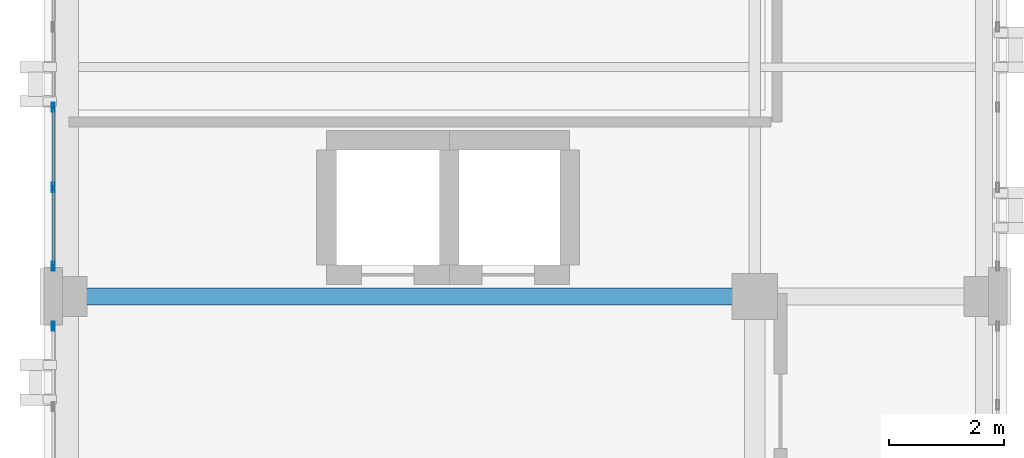
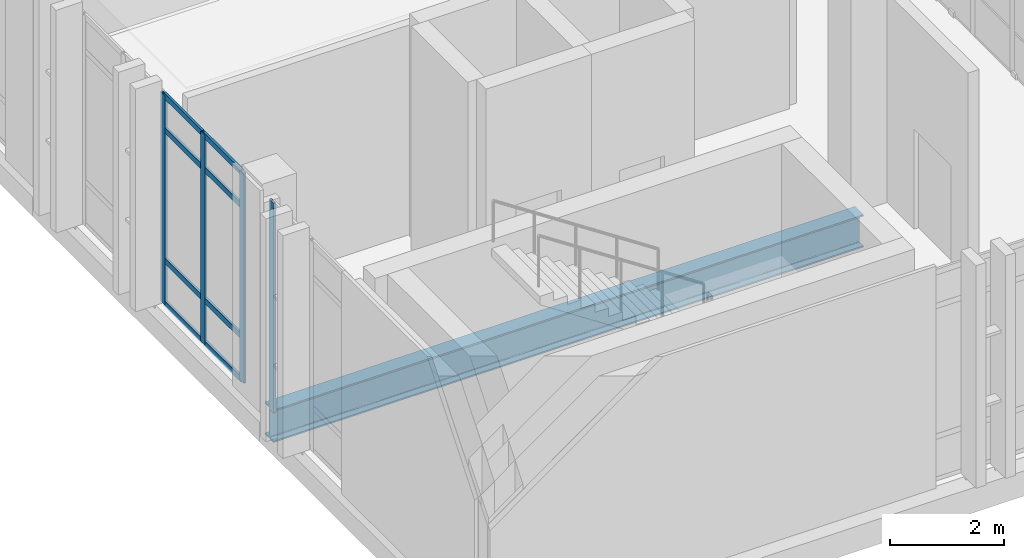
# One storey, part 23 of 189: 12 members, 1 beam, 2 elements without a shape of their own.
"""IFC4 building model written with IfcOpenShell, lengths in metres."""

from ifc_helpers import new_model, si_unit, direction, frame, origin, origin_2d, place, context, subcontext, project, spatial, hollow_rectangle, i_section, extrude, material, layer, layer_set, material_profile, profile_set, type_object, element, aggregate, save


model = new_model("IFC4")

# Units and contexts
model_context = context("Model", 3, precision=1e-05, world=origin(), true_north=direction((0.0, 1.0)))
body_context = subcontext(model_context, "Body", "Model", "MODEL_VIEW")
ifc_project = project(units=[si_unit("LENGTHUNIT", "METRE"), si_unit("AREAUNIT", "SQUARE_METRE"), si_unit("VOLUMEUNIT", "CUBIC_METRE"), si_unit("PLANEANGLEUNIT", "RADIAN"), si_unit("MASSUNIT", "GRAM", prefix="KILO")], contexts=[model_context])

# Site, building, storey
site_placement = place(None, origin())
site = spatial("IfcSite", under=ifc_project, at=site_placement, CompositionType="ELEMENT")
building_placement = place(site_placement, origin())
building = spatial("IfcBuilding", under=site, at=building_placement, Name="Qalavern Law Courts", CompositionType="ELEMENT")
storey_placement = place(building_placement, frame((0.0, 0.0, 5.39990234375)))
storey = spatial("IfcBuildingStorey", under=building, at=storey_placement, Name="L01", CompositionType="ELEMENT", Elevation=5.39990234375)

# Curtain wall, members
ifc_material_1 = material(Name="Anodised aluminium and insulated glazing", Category="aluminium")
ifc_layer = layer(ifc_material_1, 0.172119140625)
ifc_layer_set = layer_set([ifc_layer], Name="Anodised aluminium and insulated glazing")
curtain_wall_type = type_object("IfcCurtainWallType", Name="ENV-CW-COURT", PredefinedType="USERDEFINED", material=ifc_layer_set)
curtain_wall_1_placement = place(storey_placement, origin())
curtain_wall_1 = element("IfcCurtainWall", 1, at=curtain_wall_1_placement, inside=storey, type_object=curtain_wall_type, Name="V3 unitised curtain wall L01 west 6", ObjectType="UNITISED CURTAIN WALL", PredefinedType="USERDEFINED")
ifc_material_2 = material(Name="Anodised aluminium", Category="aluminium")
ifc_material_profile_1 = material_profile(ifc_material_2, hollow_rectangle(XDim=0.048095703125, YDim=0.159912109375, WallThickness=0.00390625, at=origin_2d()), Name="ALU MULLION 48x160")
ifc_profile_set_1 = profile_set([ifc_material_profile_1], Name="Anodised aluminium")
member_type_1 = type_object("IfcMemberType", Name="ENV-CWM-48x160", PredefinedType="MULLION", material=ifc_profile_set_1)
member_1_placement = place(storey_placement, frame((2.16259765625, 52.699951171875, 0.0), z_axis=(0.0, 0.0, 1.0), x_axis=(1.0, 0.0, 0.0)))
member_1 = element("IfcMember", 2, at=member_1_placement, type_object=member_type_1, Name="CW-03 mullion 4", PredefinedType="MULLION", context=body_context, shape_type="SweptSolid", body=[
    extrude(hollow_rectangle(XDim=0.048095703125, YDim=0.159912109375, WallThickness=0.00390625, at=origin_2d()), origin(), (0.0, 0.0, 1.0), 4.510009765625),
])
member_2_placement = place(storey_placement, frame((2.16259765625, 51.300048828125, 0.0), z_axis=(0.0, 0.0, 1.0), x_axis=(1.0, 0.0, 0.0)))
member_2 = element("IfcMember", 3, at=member_2_placement, type_object=member_type_1, Name="CW-03 mullion 5", PredefinedType="MULLION", context=body_context, shape_type="SweptSolid", body=[
    extrude(hollow_rectangle(XDim=0.048095703125, YDim=0.159912109375, WallThickness=0.00390625, at=origin_2d()), origin(), (0.0, 0.0, 1.0), 4.510009765625),
])
member_3_placement = place(storey_placement, frame((2.16259765625, 49.924072265625, 0.0), z_axis=(0.0, 0.0, 1.0), x_axis=(1.0, 0.0, 0.0)))
member_3 = element("IfcMember", 4, at=member_3_placement, type_object=member_type_1, Name="CW-03 mullion 6", PredefinedType="MULLION", context=body_context, shape_type="SweptSolid", body=[
    extrude(hollow_rectangle(XDim=0.048095703125, YDim=0.159912109375, WallThickness=0.00390625, at=origin_2d()), origin(), (0.0, 0.0, 1.0), 4.510009765625),
])

# Curtain wall, member
curtain_wall_2_placement = place(storey_placement, origin())
curtain_wall_2 = element("IfcCurtainWall", 5, at=curtain_wall_2_placement, inside=storey, type_object=curtain_wall_type, Name="V3 unitised curtain wall L01 west 7", ObjectType="UNITISED CURTAIN WALL", PredefinedType="USERDEFINED")
member_4_placement = place(storey_placement, frame((2.16259765625, 48.8759765625, 0.0), z_axis=(0.0, 0.0, 1.0), x_axis=(1.0, 0.0, 0.0)))
member_4 = element("IfcMember", 6, at=member_4_placement, type_object=member_type_1, Name="CW-03 mullion 1", PredefinedType="MULLION", context=body_context, shape_type="SweptSolid", body=[
    extrude(hollow_rectangle(XDim=0.048095703125, YDim=0.159912109375, WallThickness=0.00390625, at=origin_2d()), origin(), (0.0, 0.0, 1.0), 4.510009765625),
])
aggregate(curtain_wall_2, [member_4])

# Member
ifc_material_profile_2 = material_profile(ifc_material_2, hollow_rectangle(XDim=0.048095703125, YDim=0.1201171875, WallThickness=0.00390625, at=origin_2d()), Name="ALU TRANSOM 48x120")
ifc_profile_set_2 = profile_set([ifc_material_profile_2], Name="Anodised aluminium")
member_type_2 = type_object("IfcMemberType", Name="ENV-CWT-48x120", PredefinedType="USERDEFINED", material=ifc_profile_set_2)
member_5_placement = place(storey_placement, frame((2.16259765625, 52.676025390625, 0.024169921875), z_axis=(0.0, -1.0, 0.0), x_axis=(1.0, 0.0, 0.0)))
member_5 = element("IfcMember", 7, at=member_5_placement, type_object=member_type_2, Name="CW-03 transom 4.1", ObjectType="TRANSOM", PredefinedType="USERDEFINED", context=body_context, shape_type="SweptSolid", body=[
    extrude(hollow_rectangle(XDim=0.048095703125, YDim=0.1201171875, WallThickness=0.00390625, at=origin_2d()), origin(), (0.0, 0.0, 1.0), 1.35205078125),
])

member_6_placement = place(storey_placement, frame((2.16259765625, 52.676025390625, 0.9501953125), z_axis=(0.0, -1.0, 0.0), x_axis=(1.0, 0.0, 0.0)))
member_6 = element("IfcMember", 8, at=member_6_placement, type_object=member_type_2, Name="CW-03 transom 4.2", ObjectType="TRANSOM", PredefinedType="USERDEFINED", context=body_context, shape_type="SweptSolid", body=[
    extrude(hollow_rectangle(XDim=0.048095703125, YDim=0.1201171875, WallThickness=0.00390625, at=origin_2d()), origin(), (0.0, 0.0, 1.0), 1.35205078125),
])

member_7_placement = place(storey_placement, frame((2.16259765625, 52.676025390625, 3.760009765625), z_axis=(0.0, -1.0, 0.0), x_axis=(1.0, 0.0, 0.0)))
member_7 = element("IfcMember", 9, at=member_7_placement, type_object=member_type_2, Name="CW-03 transom 4.3", ObjectType="TRANSOM", PredefinedType="USERDEFINED", context=body_context, shape_type="SweptSolid", body=[
    extrude(hollow_rectangle(XDim=0.048095703125, YDim=0.1201171875, WallThickness=0.00390625, at=origin_2d()), origin(), (0.0, 0.0, 1.0), 1.35205078125),
])

member_8_placement = place(storey_placement, frame((2.16259765625, 52.676025390625, 4.486083984375), z_axis=(0.0, -1.0, 0.0), x_axis=(1.0, 0.0, 0.0)))
member_8 = element("IfcMember", 10, at=member_8_placement, type_object=member_type_2, Name="CW-03 transom 4.4", ObjectType="TRANSOM", PredefinedType="USERDEFINED", context=body_context, shape_type="SweptSolid", body=[
    extrude(hollow_rectangle(XDim=0.048095703125, YDim=0.1201171875, WallThickness=0.00390625, at=origin_2d()), origin(), (0.0, 0.0, 1.0), 1.35205078125),
])

member_9_placement = place(storey_placement, frame((2.16259765625, 51.27587890625, 0.024169921875), z_axis=(0.0, -1.0, 0.0), x_axis=(1.0, 0.0, 0.0)))
member_9 = element("IfcMember", 11, at=member_9_placement, type_object=member_type_2, Name="CW-03 transom 5.1", ObjectType="TRANSOM", PredefinedType="USERDEFINED", context=body_context, shape_type="SweptSolid", body=[
    extrude(hollow_rectangle(XDim=0.048095703125, YDim=0.1201171875, WallThickness=0.00390625, at=origin_2d()), origin(), (0.0, 0.0, 1.0), 1.327880859375),
])

member_10_placement = place(storey_placement, frame((2.16259765625, 51.27587890625, 0.9501953125), z_axis=(0.0, -1.0, 0.0), x_axis=(1.0, 0.0, 0.0)))
member_10 = element("IfcMember", 12, at=member_10_placement, type_object=member_type_2, Name="CW-03 transom 5.2", ObjectType="TRANSOM", PredefinedType="USERDEFINED", context=body_context, shape_type="SweptSolid", body=[
    extrude(hollow_rectangle(XDim=0.048095703125, YDim=0.1201171875, WallThickness=0.00390625, at=origin_2d()), origin(), (0.0, 0.0, 1.0), 1.327880859375),
])

member_11_placement = place(storey_placement, frame((2.16259765625, 51.27587890625, 3.760009765625), z_axis=(0.0, -1.0, 0.0), x_axis=(1.0, 0.0, 0.0)))
member_11 = element("IfcMember", 13, at=member_11_placement, type_object=member_type_2, Name="CW-03 transom 5.3", ObjectType="TRANSOM", PredefinedType="USERDEFINED", context=body_context, shape_type="SweptSolid", body=[
    extrude(hollow_rectangle(XDim=0.048095703125, YDim=0.1201171875, WallThickness=0.00390625, at=origin_2d()), origin(), (0.0, 0.0, 1.0), 1.327880859375),
])

member_12_placement = place(storey_placement, frame((2.16259765625, 51.27587890625, 4.486083984375), z_axis=(0.0, -1.0, 0.0), x_axis=(1.0, 0.0, 0.0)))
member_12 = element("IfcMember", 14, at=member_12_placement, type_object=member_type_2, Name="CW-03 transom 5.4", ObjectType="TRANSOM", PredefinedType="USERDEFINED", context=body_context, shape_type="SweptSolid", body=[
    extrude(hollow_rectangle(XDim=0.048095703125, YDim=0.1201171875, WallThickness=0.00390625, at=origin_2d()), origin(), (0.0, 0.0, 1.0), 1.327880859375),
])

aggregate(curtain_wall_1, [member_1, member_2, member_3, member_5, member_6, member_7, member_8, member_9, member_10, member_11, member_12])

# Beam
ifc_material_3 = material(Name="Steel S355", Category="steel")
ifc_material_profile_3 = material_profile(ifc_material_3, i_section(OverallWidth=0.300048828125, OverallDepth=0.699951171875, WebThickness=0.01708984375, FlangeThickness=0.031982421875, FilletRadius=0.027099609375, at=origin_2d()), Name="HEB 700")
ifc_profile_set_3 = profile_set([ifc_material_profile_3], Name="Steel S355")
beam_type = type_object("IfcBeamType", Name="STR-BM-HEB700", PredefinedType="BEAM", material=ifc_profile_set_3)
beam_placement = place(storey_placement, frame((2.39990234375, 49.39990234375, -0.64990234375), z_axis=(1.0, 0.0, 0.0), x_axis=(0.0, 1.0, 0.0)))
element("IfcBeam", 15, at=beam_placement, inside=storey, type_object=beam_type, Name="V3 X-beam 2-1 L01", PredefinedType="BEAM", context=body_context, shape_type="SweptSolid", body=[
    extrude(i_section(OverallWidth=0.300048828125, OverallDepth=0.699951171875, WebThickness=0.01708984375, FlangeThickness=0.031982421875, FilletRadius=0.027099609375, at=origin_2d()), origin(), (0.0, 0.0, 1.0), 12.0),
])

save(model, "model.ifc")
